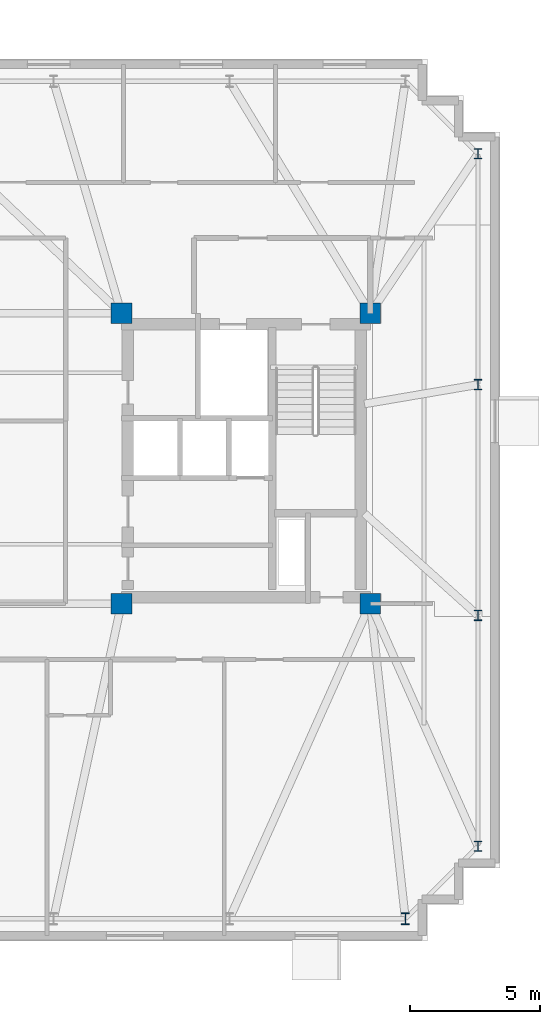
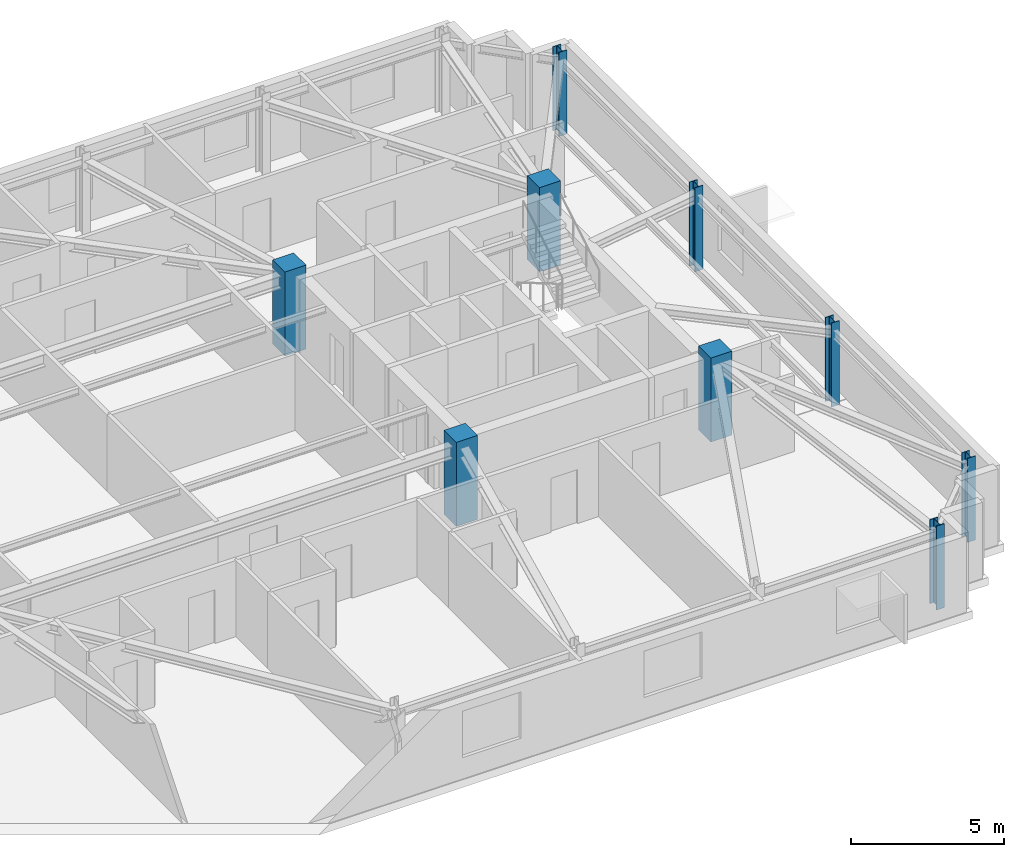
# One storey, part 2 of 11: 9 columns.
"""IFC4 building model written with IfcOpenShell, lengths in metres."""

from ifc_helpers import new_model, si_unit, direction, frame, origin, origin_2d, place, context, subcontext, project, spatial, rectangle, i_section, extrude, material, material_profile, profile_set, type_object, element, save


model = new_model("IFC4")

# Units and contexts
model_context = context("Model", 3, precision=1e-05, world=origin(), true_north=direction((0.0, 1.0)))
body_context = subcontext(model_context, "Body", "Model", "MODEL_VIEW")
ifc_project = project(units=[si_unit("LENGTHUNIT", "METRE"), si_unit("AREAUNIT", "SQUARE_METRE"), si_unit("VOLUMEUNIT", "CUBIC_METRE"), si_unit("PLANEANGLEUNIT", "RADIAN"), si_unit("MASSUNIT", "GRAM", prefix="KILO")], contexts=[model_context])

# Site, building, storey
site_placement = place(None, origin())
site = spatial("IfcSite", under=ifc_project, at=site_placement, CompositionType="ELEMENT")
building_placement = place(site_placement, origin())
building = spatial("IfcBuilding", under=site, at=building_placement, Name="Qobustan Lattice House", CompositionType="ELEMENT")
storey_placement = place(building_placement, frame((0.0, 0.0, 248.39990234375)))
storey = spatial("IfcBuildingStorey", under=building, at=storey_placement, Name="L70", CompositionType="ELEMENT", Elevation=248.39990234375)

# Columns
ifc_material_1 = material(Name="Concrete C50/60", Category="concrete")
ifc_material_profile_1 = material_profile(ifc_material_1, rectangle(XDim=0.800048828125, YDim=0.800048828125, at=origin_2d()), Name="RC800x800")
ifc_profile_set_1 = profile_set([ifc_material_profile_1], Name="Concrete C50/60")
column_type_1 = type_object("IfcColumnType", Name="COL-RC-800", PredefinedType="COLUMN", material=ifc_profile_set_1)
for number, where, z_axis, x_axis, name in (
    (1, (9.199951171875, -5.60009765625, 0.0), (0.0, 0.0, 1.0), (1.0, 0.0, 0.0), "L70 core mega-column CE-SW"),
    (2, (9.199951171875, 5.60009765625, 0.0), (0.0, 0.0, 1.0), (1.0, 0.0, 0.0), "L70 core mega-column CE-NW"),
    (3, (18.800048828125, -5.60009765625, 0.0), (0.0, 0.0, 1.0), (1.0, 0.0, 0.0), "L70 core mega-column CE-SE"),
    (4, (18.800048828125, 5.60009765625, 0.0), (0.0, 0.0, 1.0), (1.0, 0.0, 0.0), "L70 core mega-column CE-NE"),
):
    element("IfcColumn", number, at=place(storey_placement, frame(where, z_axis=z_axis, x_axis=x_axis)), inside=storey, type_object=column_type_1, Name=name, PredefinedType="COLUMN", context=body_context, shape_type="SweptSolid", body=[
        extrude(rectangle(XDim=0.800048828125, YDim=0.800048828125, at=origin_2d()), origin(), (0.0, 0.0, 1.0), 3.35009765625),
    ])
ifc_material_2 = material(Name="Steel S355", Category="steel")
ifc_material_profile_2 = material_profile(ifc_material_2, i_section(OverallWidth=0.300048828125, OverallDepth=0.39990234375, WebThickness=0.013427734375, FlangeThickness=0.02392578125, FilletRadius=0.027099609375, at=origin_2d()), Name="HEB400")
ifc_profile_set_2 = profile_set([ifc_material_profile_2], Name="Steel S355")
column_type_2 = type_object("IfcColumnType", Name="COL-ST-HEB400", PredefinedType="COLUMN", material=ifc_profile_set_2)
for number, where, z_axis, x_axis, name in (
    (5, (22.949951171875, -14.949951171875, 0.0), (0.0, 0.0, 1.0), (1.0, 0.0, 0.0), "L70 B5 perimeter column E1"),
    (6, (22.949951171875, -6.050048828125, 0.0), (0.0, 0.0, 1.0), (1.0, 0.0, 0.0), "L70 B5 perimeter column E2"),
    (7, (22.949951171875, 2.85009765625, 0.0), (0.0, 0.0, 1.0), (1.0, 0.0, 0.0), "L70 B5 perimeter column E3"),
    (8, (22.949951171875, 11.75, 0.0), (0.0, 0.0, 1.0), (1.0, 0.0, 0.0), "L70 B5 perimeter column E4"),
):
    element("IfcColumn", number, at=place(storey_placement, frame(where, z_axis=z_axis, x_axis=x_axis)), inside=storey, type_object=column_type_2, Name=name, PredefinedType="COLUMN", context=body_context, shape_type="SweptSolid", body=[
        extrude(i_section(OverallWidth=0.300048828125, OverallDepth=0.39990234375, WebThickness=0.013427734375, FlangeThickness=0.02392578125, FilletRadius=0.027099609375, at=origin_2d()), origin(), (0.0, 0.0, 1.0), 3.35009765625),
    ])
ifc_material_3 = material(Name="Steel S355", Category="steel")
ifc_material_profile_3 = material_profile(ifc_material_3, i_section(OverallWidth=0.300048828125, OverallDepth=0.449951171875, WebThickness=0.013916015625, FlangeThickness=0.02587890625, FilletRadius=0.027099609375, at=origin_2d()), Name="HEB450")
ifc_profile_set_3 = profile_set([ifc_material_profile_3], Name="Steel S355")
column_type_3 = type_object("IfcColumnType", Name="COL-ST-HEB450", PredefinedType="COLUMN", material=ifc_profile_set_3)
column_placement = place(storey_placement, frame((20.14990234375, -17.75, 0.0), z_axis=(0.0, 0.0, 1.0), x_axis=(1.0, 0.0, 0.0)))
element("IfcColumn", 9, at=column_placement, inside=storey, type_object=column_type_3, Name="L70 B5 perimeter column S7", PredefinedType="COLUMN", context=body_context, shape_type="SweptSolid", body=[
    extrude(i_section(OverallWidth=0.300048828125, OverallDepth=0.449951171875, WebThickness=0.013916015625, FlangeThickness=0.02587890625, FilletRadius=0.027099609375, at=origin_2d()), origin(), (0.0, 0.0, 1.0), 3.35009765625),
])

save(model, "model.ifc")
